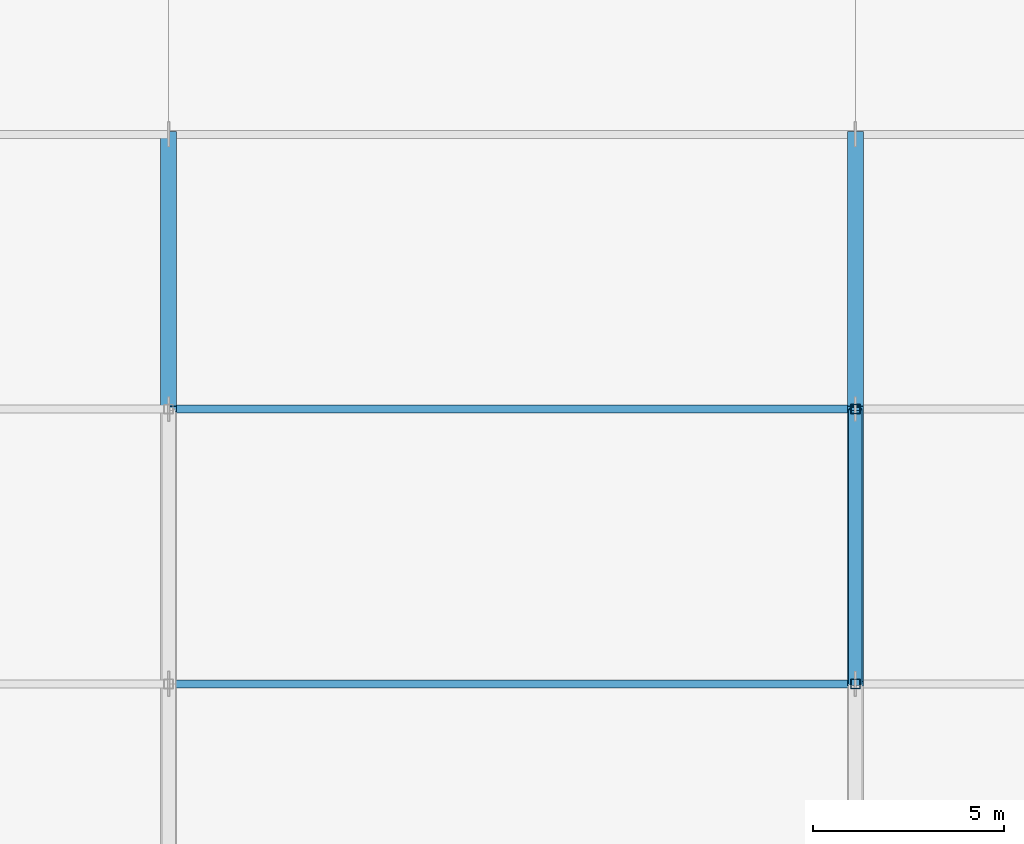
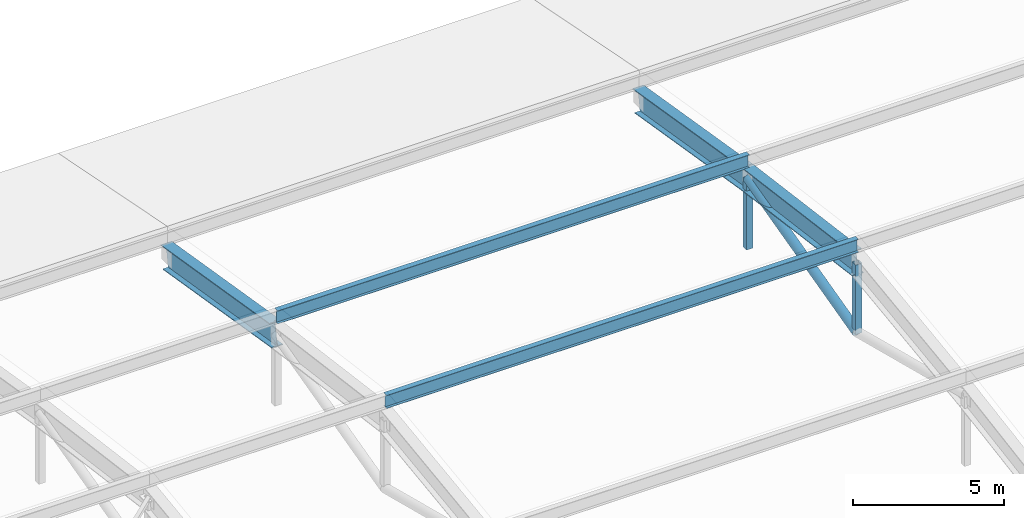
# One storey, part 17 of 78: 8 members.
"""IFC4 building model written with IfcOpenShell, lengths in metres."""

from ifc_helpers import new_model, si_unit, direction, frame, origin, origin_2d, place, context, subcontext, project, spatial, hollow_rectangle, hollow_circle, i_section, extrude, material, material_profile, profile_set, type_object, element, save


model = new_model("IFC4")

# Units and contexts
model_context = context("Model", 3, precision=1e-05, world=origin(), true_north=direction((0.0, 1.0)))
body_context = subcontext(model_context, "Body", "Model", "MODEL_VIEW")
ifc_project = project(units=[si_unit("LENGTHUNIT", "METRE"), si_unit("AREAUNIT", "SQUARE_METRE"), si_unit("VOLUMEUNIT", "CUBIC_METRE"), si_unit("PLANEANGLEUNIT", "RADIAN"), si_unit("MASSUNIT", "GRAM", prefix="KILO")], contexts=[model_context])

# Site, building, storey
site_placement = place(None, origin())
site = spatial("IfcSite", under=ifc_project, at=site_placement, CompositionType="ELEMENT")
building_placement = place(site_placement, origin())
building = spatial("IfcBuilding", under=site, at=building_placement, Name="Celestram Park Convention Centre", CompositionType="ELEMENT")
storey_placement = place(building_placement, frame((0.0, 0.0, 19.800048828125)))
storey = spatial("IfcBuildingStorey", under=building, at=storey_placement, Name="L04", CompositionType="ELEMENT", Elevation=19.800048828125)

# Members
ifc_material_1 = material(Name="Steel ASTM A500 Grade C", Category="steel")
ifc_material_profile_1 = material_profile(ifc_material_1, hollow_circle(Radius=0.177978515625, WallThickness=0.011962890625, at=origin_2d()), Name="CHS356X12")
ifc_profile_set_1 = profile_set([ifc_material_profile_1], Name="Steel ASTM A500 Grade C")
member_type_1 = type_object("IfcMemberType", Name="STR-BRC-CHS356", PredefinedType="BRACE", material=ifc_profile_set_1)
member_1_placement = place(storey_placement, frame((90.0, 64.800048828125, -0.171630859375), z_axis=(0.0, 0.968804355336, 0.247826796536), x_axis=(-1.0, 0.0, 0.0)))
element("IfcMember", 1, at=member_1_placement, inside=storey, type_object=member_type_1, Name="V1 arch web diagonal", PredefinedType="BRACE", context=body_context, shape_type="SweptSolid", body=[
    extrude(hollow_circle(Radius=0.177978515625, WallThickness=0.011962890625, at=origin_2d()), origin(), (0.0, 0.0, 1.0), 7.431884765625),
])
ifc_material_2 = material(Name="Steel ASTM A992 Grade 50", Category="steel")
ifc_material_profile_2 = material_profile(ifc_material_2, i_section(OverallWidth=0.4189453125, OverallDepth=0.927001953125, WebThickness=0.019287109375, FlangeThickness=0.031982421875, at=origin_2d()), Name="W36X231")
ifc_profile_set_2 = profile_set([ifc_material_profile_2], Name="Steel ASTM A992 Grade 50")
member_type_2 = type_object("IfcMemberType", Name="STR-CHD-W36X231", PredefinedType="CHORD", material=ifc_profile_set_2)
member_2_placement = place(storey_placement, frame((72.0, 72.0, 1.670166015625), z_axis=(0.0, 0.986648621514, -0.162863432557), x_axis=(-1.0, 0.0, 0.0)))
element("IfcMember", 2, at=member_2_placement, inside=storey, type_object=member_type_2, Name="V1 arch top chord", PredefinedType="CHORD", context=body_context, shape_type="SweptSolid", body=[
    extrude(i_section(OverallWidth=0.4189453125, OverallDepth=0.927001953125, WebThickness=0.019287109375, FlangeThickness=0.031982421875, at=origin_2d()), origin(), (0.0, 0.0, 1.0), 7.29736328125),
])
member_3_placement = place(storey_placement, frame((90.0, 64.800048828125, 2.62841796875), z_axis=(0.0, 0.991259283276, -0.131928136952), x_axis=(-1.0, 0.0, 0.0)))
element("IfcMember", 3, at=member_3_placement, inside=storey, type_object=member_type_2, Name="V1 arch top chord", PredefinedType="CHORD", context=body_context, shape_type="SweptSolid", body=[
    extrude(i_section(OverallWidth=0.4189453125, OverallDepth=0.927001953125, WebThickness=0.019287109375, FlangeThickness=0.031982421875, at=origin_2d()), origin(), (0.0, 0.0, 1.0), 7.263427734375),
])
member_4_placement = place(storey_placement, frame((90.0, 72.0, 1.670166015625), z_axis=(0.0, 0.986648621514, -0.162863432557), x_axis=(-1.0, 0.0, 0.0)))
element("IfcMember", 4, at=member_4_placement, inside=storey, type_object=member_type_2, Name="V1 arch top chord", PredefinedType="CHORD", context=body_context, shape_type="SweptSolid", body=[
    extrude(i_section(OverallWidth=0.4189453125, OverallDepth=0.927001953125, WebThickness=0.019287109375, FlangeThickness=0.031982421875, at=origin_2d()), origin(), (0.0, 0.0, 1.0), 7.29736328125),
])
ifc_material_profile_3 = material_profile(ifc_material_2, i_section(OverallWidth=0.2099609375, OverallDepth=0.532958984375, WebThickness=0.01025390625, FlangeThickness=0.015625, at=origin_2d()), Name="W21X62")
ifc_profile_set_3 = profile_set([ifc_material_profile_3], Name="Steel ASTM A992 Grade 50")
member_type_3 = type_object("IfcMemberType", Name="STR-RFT-W21X62", PredefinedType="RAFTER", material=ifc_profile_set_3)
for number, where, z_axis, x_axis, name in (
    (5, (72.0, 64.800048828125, 3.3583984375), (1.0, 0.0, 0.0), (0.0, 1.0, 0.0), "V1 roof purlin"),
    (6, (72.0, 72.0, 2.400146484375), (1.0, 0.0, 0.0), (0.0, 1.0, 0.0), "V1 roof purlin"),
):
    element("IfcMember", number, at=place(storey_placement, frame(where, z_axis=z_axis, x_axis=x_axis)), inside=storey, type_object=member_type_3, Name=name, PredefinedType="RAFTER", context=body_context, shape_type="SweptSolid", body=[
        extrude(i_section(OverallWidth=0.2099609375, OverallDepth=0.532958984375, WebThickness=0.01025390625, FlangeThickness=0.015625, at=origin_2d()), origin(), (0.0, 0.0, 1.0), 18.0),
    ])
ifc_material_profile_4 = material_profile(ifc_material_1, hollow_rectangle(XDim=0.25, YDim=0.25, WallThickness=0.011962890625, at=origin_2d()), Name="HSS250X250X12")
ifc_profile_set_4 = profile_set([ifc_material_profile_4], Name="Steel ASTM A500 Grade C")
member_type_4 = type_object("IfcMemberType", Name="STR-STR-HSS250", PredefinedType="STRUT", material=ifc_profile_set_4)
for number, where, z_axis, x_axis, name in (
    (7, (90.0, 64.800048828125, -0.171630859375), (0.0, 0.0, 1.0), (1.0, 0.0, 0.0), "V1 arch vertical strut"),
    (8, (90.0, 72.0, -1.1298828125), (0.0, 0.0, 1.0), (1.0, 0.0, 0.0), "V1 arch vertical strut"),
):
    element("IfcMember", number, at=place(storey_placement, frame(where, z_axis=z_axis, x_axis=x_axis)), inside=storey, type_object=member_type_4, Name=name, PredefinedType="STRUT", context=body_context, shape_type="SweptSolid", body=[
        extrude(hollow_rectangle(XDim=0.25, YDim=0.25, WallThickness=0.011962890625, at=origin_2d()), origin(), (0.0, 0.0, 1.0), 2.800048828125),
    ])

save(model, "model.ifc")
